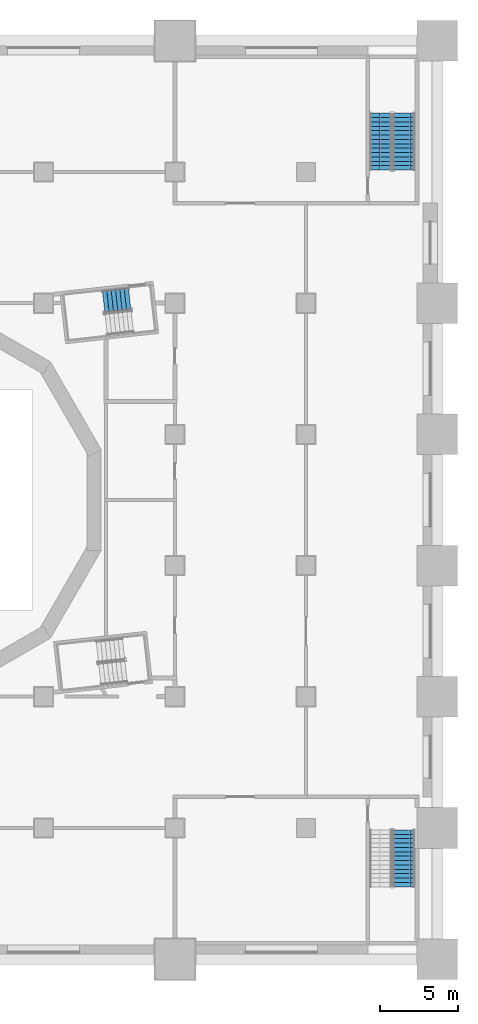
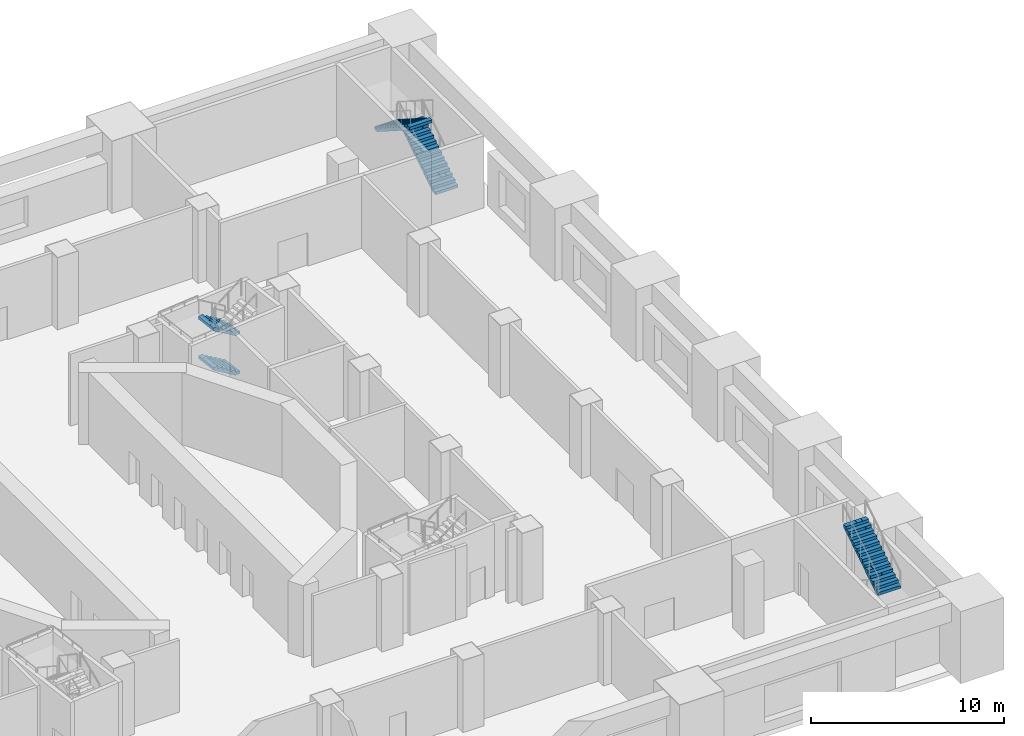
# One storey, part 8 of 17: 5 stair flights, 3 elements without a shape of their own.
"""IFC4 building model written with IfcOpenShell, lengths in metres."""

from ifc_helpers import new_model, si_unit, direction, frame, origin, place, context, subcontext, project, spatial, polyline, outline, extrude, material, type_object, element, aggregate, save


model = new_model("IFC4")

# Units and contexts
model_context = context("Model", 3, precision=1e-05, world=origin(), true_north=direction((0.0, 1.0)))
body_context = subcontext(model_context, "Body", "Model", "MODEL_VIEW")
ifc_project = project(units=[si_unit("LENGTHUNIT", "METRE"), si_unit("AREAUNIT", "SQUARE_METRE"), si_unit("VOLUMEUNIT", "CUBIC_METRE"), si_unit("PLANEANGLEUNIT", "RADIAN"), si_unit("MASSUNIT", "GRAM", prefix="KILO")], contexts=[model_context])

# Site, building, storey
site_placement = place(None, origin())
site = spatial("IfcSite", under=ifc_project, at=site_placement, CompositionType="ELEMENT")
building_placement = place(site_placement, origin())
building = spatial("IfcBuilding", under=site, at=building_placement, Name="Cantera Rosa Tower", CompositionType="ELEMENT")
storey_placement = place(building_placement, frame((0.0, 0.0, 32.0)))
storey = spatial("IfcBuildingStorey", under=building, at=storey_placement, Name="L05", CompositionType="ELEMENT", Elevation=32.0)

# Stair, stair flights
ifc_material_1 = material(Name="Concrete C35/45", Category="concrete")
stair_type_1 = type_object("IfcStairType", Name="EXIT STAIR 1350 DOGLEG", PredefinedType="HALF_TURN_STAIR", material=ifc_material_1)
stair_1_placement = place(storey_placement, origin())
stair_1 = element("IfcStair", 1, at=stair_1_placement, inside=storey, type_object=stair_type_1, Name="L05 ST-11", PredefinedType="HALF_TURN_STAIR")
ifc_material_2 = material(Name="Concrete C35/45", Category="concrete")
stair_flight_type_1 = type_object("IfcStairFlightType", Name="STAIR FLIGHT 1350 R28x179", PredefinedType="STRAIGHT", material=ifc_material_2)
stair_flight_1_placement = place(storey_placement, frame((13.90869140625, 12.89990234375, 0.0), z_axis=(0.0, 0.0, 1.0), x_axis=(-0.993896947056, -0.110312549749, 0.0)))
stair_flight_1 = element("IfcStairFlight", 2, at=stair_flight_1_placement, type_object=stair_flight_type_1, Name="ST-11 flight 1", NumberOfRisers=7, NumberOfTreads=6, PredefinedType="STRAIGHT", RiserHeight=0.178571429, TreadLength=0.28, context=body_context, shape_type="SweptSolid", body=[
    extrude(outline(polyline([(0.0, 0.0), (0.0, 0.178466796875), (0.280029296875, 0.178466796875), (0.280029296875, 0.357177734375), (0.56005859375, 0.357177734375), (0.56005859375, 0.53564453125), (0.840087890625, 0.53564453125), (0.840087890625, 0.71435546875), (1.1201171875, 0.71435546875), (1.1201171875, 0.892822265625), (1.39990234375, 0.892822265625), (1.39990234375, 1.071533203125), (1.679931640625, 1.071533203125), (1.679931640625, 1.25), (1.679931640625, 0.8935546875), (0.27880859375, 0.0), (0.0, 0.0)])), frame((0.0, 0.675048828125, 0.0), z_axis=(0.0, -1.0, 0.0), x_axis=(1.0, 0.0, 0.0)), (0.0, 0.0, 1.0), 0.3359375),
    extrude(outline(polyline([(0.0, 0.0), (0.0, 0.178466796875), (0.280029296875, 0.178466796875), (0.280029296875, 0.357177734375), (0.56005859375, 0.357177734375), (0.56005859375, 0.53564453125), (0.840087890625, 0.53564453125), (0.840087890625, 0.71435546875), (1.1201171875, 0.71435546875), (1.1201171875, 0.892822265625), (1.39990234375, 0.892822265625), (1.39990234375, 1.071533203125), (1.679931640625, 1.071533203125), (1.679931640625, 1.25), (1.679931640625, 0.8935546875), (0.27880859375, 0.0), (0.0, 0.0)])), frame((0.0, 0.337158203125, 0.0), z_axis=(0.0, -1.0, 0.0), x_axis=(1.0, 0.0, 0.0)), (0.0, 0.0, 1.0), 0.3359375),
    extrude(outline(polyline([(0.0, 0.0), (0.0, 0.178466796875), (0.280029296875, 0.178466796875), (0.280029296875, 0.357177734375), (0.56005859375, 0.357177734375), (0.56005859375, 0.53564453125), (0.840087890625, 0.53564453125), (0.840087890625, 0.71435546875), (1.1201171875, 0.71435546875), (1.1201171875, 0.892822265625), (1.39990234375, 0.892822265625), (1.39990234375, 1.071533203125), (1.679931640625, 1.071533203125), (1.679931640625, 1.25), (1.679931640625, 0.8935546875), (0.27880859375, 0.0), (0.0, 0.0)])), frame((0.0, -0.000732421875, 0.0), z_axis=(0.0, -1.0, 0.0), x_axis=(1.0, 0.0, 0.0)), (0.0, 0.0, 1.0), 0.3359375),
    extrude(outline(polyline([(0.0, 0.0), (0.0, 0.178466796875), (0.280029296875, 0.178466796875), (0.280029296875, 0.357177734375), (0.56005859375, 0.357177734375), (0.56005859375, 0.53564453125), (0.840087890625, 0.53564453125), (0.840087890625, 0.71435546875), (1.1201171875, 0.71435546875), (1.1201171875, 0.892822265625), (1.39990234375, 0.892822265625), (1.39990234375, 1.071533203125), (1.679931640625, 1.071533203125), (1.679931640625, 1.25), (1.679931640625, 0.8935546875), (0.27880859375, 0.0), (0.0, 0.0)])), frame((0.0, -0.338623046875, 0.0), z_axis=(0.0, -1.0, 0.0), x_axis=(1.0, 0.0, 0.0)), (0.0, 0.0, 1.0), 0.3359375),
])
stair_flight_2_placement = place(storey_placement, frame((13.90869140625, 12.89990234375, 2.5), z_axis=(0.0, 0.0, 1.0), x_axis=(-0.993896947056, -0.110312549749, 0.0)))
stair_flight_2 = element("IfcStairFlight", 3, at=stair_flight_2_placement, type_object=stair_flight_type_1, Name="ST-11 flight 3", NumberOfRisers=7, NumberOfTreads=6, PredefinedType="STRAIGHT", RiserHeight=0.178571429, TreadLength=0.28, context=body_context, shape_type="SweptSolid", body=[
    extrude(outline(polyline([(0.0, 0.0), (0.0, 0.178466796875), (0.280029296875, 0.178466796875), (0.280029296875, 0.357177734375), (0.56005859375, 0.357177734375), (0.56005859375, 0.53564453125), (0.840087890625, 0.53564453125), (0.840087890625, 0.71435546875), (1.1201171875, 0.71435546875), (1.1201171875, 0.892822265625), (1.39990234375, 0.892822265625), (1.39990234375, 1.071533203125), (1.679931640625, 1.071533203125), (1.679931640625, 1.25), (1.679931640625, 0.8935546875), (0.27880859375, 0.0), (0.0, 0.0)])), frame((0.0, 0.675048828125, 0.0), z_axis=(0.0, -1.0, 0.0), x_axis=(1.0, 0.0, 0.0)), (0.0, 0.0, 1.0), 0.3359375),
    extrude(outline(polyline([(0.0, 0.0), (0.0, 0.178466796875), (0.280029296875, 0.178466796875), (0.280029296875, 0.357177734375), (0.56005859375, 0.357177734375), (0.56005859375, 0.53564453125), (0.840087890625, 0.53564453125), (0.840087890625, 0.71435546875), (1.1201171875, 0.71435546875), (1.1201171875, 0.892822265625), (1.39990234375, 0.892822265625), (1.39990234375, 1.071533203125), (1.679931640625, 1.071533203125), (1.679931640625, 1.25), (1.679931640625, 0.8935546875), (0.27880859375, 0.0), (0.0, 0.0)])), frame((0.0, 0.337158203125, 0.0), z_axis=(0.0, -1.0, 0.0), x_axis=(1.0, 0.0, 0.0)), (0.0, 0.0, 1.0), 0.3359375),
    extrude(outline(polyline([(0.0, 0.0), (0.0, 0.178466796875), (0.280029296875, 0.178466796875), (0.280029296875, 0.357177734375), (0.56005859375, 0.357177734375), (0.56005859375, 0.53564453125), (0.840087890625, 0.53564453125), (0.840087890625, 0.71435546875), (1.1201171875, 0.71435546875), (1.1201171875, 0.892822265625), (1.39990234375, 0.892822265625), (1.39990234375, 1.071533203125), (1.679931640625, 1.071533203125), (1.679931640625, 1.25), (1.679931640625, 0.8935546875), (0.27880859375, 0.0), (0.0, 0.0)])), frame((0.0, -0.000732421875, 0.0), z_axis=(0.0, -1.0, 0.0), x_axis=(1.0, 0.0, 0.0)), (0.0, 0.0, 1.0), 0.3359375),
    extrude(outline(polyline([(0.0, 0.0), (0.0, 0.178466796875), (0.280029296875, 0.178466796875), (0.280029296875, 0.357177734375), (0.56005859375, 0.357177734375), (0.56005859375, 0.53564453125), (0.840087890625, 0.53564453125), (0.840087890625, 0.71435546875), (1.1201171875, 0.71435546875), (1.1201171875, 0.892822265625), (1.39990234375, 0.892822265625), (1.39990234375, 1.071533203125), (1.679931640625, 1.071533203125), (1.679931640625, 1.25), (1.679931640625, 0.8935546875), (0.27880859375, 0.0), (0.0, 0.0)])), frame((0.0, -0.338623046875, 0.0), z_axis=(0.0, -1.0, 0.0), x_axis=(1.0, 0.0, 0.0)), (0.0, 0.0, 1.0), 0.3359375),
])
aggregate(stair_1, [stair_flight_1, stair_flight_2])

ifc_material_3 = material(Name="Concrete C35/45", Category="concrete")
stair_type_2 = type_object("IfcStairType", Name="Stair half-turn 1350", PredefinedType="HALF_TURN_STAIR", material=ifc_material_3)
stair_2_placement = place(storey_placement, origin())
stair_2 = element("IfcStair", 4, at=stair_2_placement, inside=storey, type_object=stair_type_2, Name="L05 ST-NE", PredefinedType="HALF_TURN_STAIR")
ifc_material_4 = material(Name="Concrete C35/45", Category="concrete")
stair_flight_type_2 = type_object("IfcStairFlightType", Name="Stair flight 1350", PredefinedType="STRAIGHT", material=ifc_material_4)
stair_flight_3_placement = place(storey_placement, frame((31.5, 21.125, 0.0), z_axis=(0.0, 0.0, 1.0), x_axis=(0.0, 1.0, 0.0)))
stair_flight_3 = element("IfcStairFlight", 5, at=stair_flight_3_placement, type_object=stair_flight_type_2, Name="ST-NE flight 1", NumberOfRisers=14, NumberOfTreads=13, PredefinedType="STRAIGHT", RiserHeight=0.178571429, TreadLength=0.28, context=body_context, shape_type="SweptSolid", body=[
    extrude(outline(polyline([(0.0, 0.0), (0.0, 0.178466796875), (0.280029296875, 0.178466796875), (0.280029296875, 0.357177734375), (0.56005859375, 0.357177734375), (0.56005859375, 0.53564453125), (0.840087890625, 0.53564453125), (0.840087890625, 0.71435546875), (1.1201171875, 0.71435546875), (1.1201171875, 0.892822265625), (1.39990234375, 0.892822265625), (1.39990234375, 1.071533203125), (1.679931640625, 1.071533203125), (1.679931640625, 1.25), (1.9599609375, 1.25), (1.9599609375, 1.428466796875), (2.239990234375, 1.428466796875), (2.239990234375, 1.607177734375), (2.52001953125, 1.607177734375), (2.52001953125, 1.78564453125), (2.800048828125, 1.78564453125), (2.800048828125, 1.96435546875), (3.080078125, 1.96435546875), (3.080078125, 2.142822265625), (3.360107421875, 2.142822265625), (3.360107421875, 2.321533203125), (3.639892578125, 2.321533203125), (3.639892578125, 2.5), (3.639892578125, 2.1435546875), (0.27880859375, 0.0), (0.0, 0.0)])), frame((0.0, 0.675048828125, 0.0), z_axis=(0.0, -1.0, 0.0), x_axis=(1.0, 0.0, 0.0)), (0.0, 0.0, 1.0), 0.3359375),
    extrude(outline(polyline([(0.0, 0.0), (0.0, 0.178466796875), (0.280029296875, 0.178466796875), (0.280029296875, 0.357177734375), (0.56005859375, 0.357177734375), (0.56005859375, 0.53564453125), (0.840087890625, 0.53564453125), (0.840087890625, 0.71435546875), (1.1201171875, 0.71435546875), (1.1201171875, 0.892822265625), (1.39990234375, 0.892822265625), (1.39990234375, 1.071533203125), (1.679931640625, 1.071533203125), (1.679931640625, 1.25), (1.9599609375, 1.25), (1.9599609375, 1.428466796875), (2.239990234375, 1.428466796875), (2.239990234375, 1.607177734375), (2.52001953125, 1.607177734375), (2.52001953125, 1.78564453125), (2.800048828125, 1.78564453125), (2.800048828125, 1.96435546875), (3.080078125, 1.96435546875), (3.080078125, 2.142822265625), (3.360107421875, 2.142822265625), (3.360107421875, 2.321533203125), (3.639892578125, 2.321533203125), (3.639892578125, 2.5), (3.639892578125, 2.1435546875), (0.27880859375, 0.0), (0.0, 0.0)])), frame((0.0, 0.337158203125, 0.0), z_axis=(0.0, -1.0, 0.0), x_axis=(1.0, 0.0, 0.0)), (0.0, 0.0, 1.0), 0.3359375),
    extrude(outline(polyline([(0.0, 0.0), (0.0, 0.178466796875), (0.280029296875, 0.178466796875), (0.280029296875, 0.357177734375), (0.56005859375, 0.357177734375), (0.56005859375, 0.53564453125), (0.840087890625, 0.53564453125), (0.840087890625, 0.71435546875), (1.1201171875, 0.71435546875), (1.1201171875, 0.892822265625), (1.39990234375, 0.892822265625), (1.39990234375, 1.071533203125), (1.679931640625, 1.071533203125), (1.679931640625, 1.25), (1.9599609375, 1.25), (1.9599609375, 1.428466796875), (2.239990234375, 1.428466796875), (2.239990234375, 1.607177734375), (2.52001953125, 1.607177734375), (2.52001953125, 1.78564453125), (2.800048828125, 1.78564453125), (2.800048828125, 1.96435546875), (3.080078125, 1.96435546875), (3.080078125, 2.142822265625), (3.360107421875, 2.142822265625), (3.360107421875, 2.321533203125), (3.639892578125, 2.321533203125), (3.639892578125, 2.5), (3.639892578125, 2.1435546875), (0.27880859375, 0.0), (0.0, 0.0)])), frame((0.0, -0.000732421875, 0.0), z_axis=(0.0, -1.0, 0.0), x_axis=(1.0, 0.0, 0.0)), (0.0, 0.0, 1.0), 0.3359375),
    extrude(outline(polyline([(0.0, 0.0), (0.0, 0.178466796875), (0.280029296875, 0.178466796875), (0.280029296875, 0.357177734375), (0.56005859375, 0.357177734375), (0.56005859375, 0.53564453125), (0.840087890625, 0.53564453125), (0.840087890625, 0.71435546875), (1.1201171875, 0.71435546875), (1.1201171875, 0.892822265625), (1.39990234375, 0.892822265625), (1.39990234375, 1.071533203125), (1.679931640625, 1.071533203125), (1.679931640625, 1.25), (1.9599609375, 1.25), (1.9599609375, 1.428466796875), (2.239990234375, 1.428466796875), (2.239990234375, 1.607177734375), (2.52001953125, 1.607177734375), (2.52001953125, 1.78564453125), (2.800048828125, 1.78564453125), (2.800048828125, 1.96435546875), (3.080078125, 1.96435546875), (3.080078125, 2.142822265625), (3.360107421875, 2.142822265625), (3.360107421875, 2.321533203125), (3.639892578125, 2.321533203125), (3.639892578125, 2.5), (3.639892578125, 2.1435546875), (0.27880859375, 0.0), (0.0, 0.0)])), frame((0.0, -0.338623046875, 0.0), z_axis=(0.0, -1.0, 0.0), x_axis=(1.0, 0.0, 0.0)), (0.0, 0.0, 1.0), 0.3359375),
])
stair_flight_4_placement = place(storey_placement, frame((29.949951171875, 24.764892578125, 2.5), z_axis=(0.0, 0.0, 1.0), x_axis=(0.0, -1.0, 0.0)))
stair_flight_4 = element("IfcStairFlight", 6, at=stair_flight_4_placement, type_object=stair_flight_type_2, Name="ST-NE flight 2", NumberOfRisers=14, NumberOfTreads=13, PredefinedType="STRAIGHT", RiserHeight=0.178571429, TreadLength=0.28, context=body_context, shape_type="SweptSolid", body=[
    extrude(outline(polyline([(0.0, 0.0), (0.0, 0.178466796875), (0.280029296875, 0.178466796875), (0.280029296875, 0.357177734375), (0.56005859375, 0.357177734375), (0.56005859375, 0.53564453125), (0.840087890625, 0.53564453125), (0.840087890625, 0.71435546875), (1.1201171875, 0.71435546875), (1.1201171875, 0.892822265625), (1.39990234375, 0.892822265625), (1.39990234375, 1.071533203125), (1.679931640625, 1.071533203125), (1.679931640625, 1.25), (1.9599609375, 1.25), (1.9599609375, 1.428466796875), (2.239990234375, 1.428466796875), (2.239990234375, 1.607177734375), (2.52001953125, 1.607177734375), (2.52001953125, 1.78564453125), (2.800048828125, 1.78564453125), (2.800048828125, 1.96435546875), (3.080078125, 1.96435546875), (3.080078125, 2.142822265625), (3.360107421875, 2.142822265625), (3.360107421875, 2.321533203125), (3.639892578125, 2.321533203125), (3.639892578125, 2.5), (3.639892578125, 2.1435546875), (0.27880859375, 0.0), (0.0, 0.0)])), frame((0.0, 0.675048828125, 0.0), z_axis=(0.0, -1.0, 0.0), x_axis=(1.0, 0.0, 0.0)), (0.0, 0.0, 1.0), 0.3359375),
    extrude(outline(polyline([(0.0, 0.0), (0.0, 0.178466796875), (0.280029296875, 0.178466796875), (0.280029296875, 0.357177734375), (0.56005859375, 0.357177734375), (0.56005859375, 0.53564453125), (0.840087890625, 0.53564453125), (0.840087890625, 0.71435546875), (1.1201171875, 0.71435546875), (1.1201171875, 0.892822265625), (1.39990234375, 0.892822265625), (1.39990234375, 1.071533203125), (1.679931640625, 1.071533203125), (1.679931640625, 1.25), (1.9599609375, 1.25), (1.9599609375, 1.428466796875), (2.239990234375, 1.428466796875), (2.239990234375, 1.607177734375), (2.52001953125, 1.607177734375), (2.52001953125, 1.78564453125), (2.800048828125, 1.78564453125), (2.800048828125, 1.96435546875), (3.080078125, 1.96435546875), (3.080078125, 2.142822265625), (3.360107421875, 2.142822265625), (3.360107421875, 2.321533203125), (3.639892578125, 2.321533203125), (3.639892578125, 2.5), (3.639892578125, 2.1435546875), (0.27880859375, 0.0), (0.0, 0.0)])), frame((0.0, 0.337158203125, 0.0), z_axis=(0.0, -1.0, 0.0), x_axis=(1.0, 0.0, 0.0)), (0.0, 0.0, 1.0), 0.3359375),
    extrude(outline(polyline([(0.0, 0.0), (0.0, 0.178466796875), (0.280029296875, 0.178466796875), (0.280029296875, 0.357177734375), (0.56005859375, 0.357177734375), (0.56005859375, 0.53564453125), (0.840087890625, 0.53564453125), (0.840087890625, 0.71435546875), (1.1201171875, 0.71435546875), (1.1201171875, 0.892822265625), (1.39990234375, 0.892822265625), (1.39990234375, 1.071533203125), (1.679931640625, 1.071533203125), (1.679931640625, 1.25), (1.9599609375, 1.25), (1.9599609375, 1.428466796875), (2.239990234375, 1.428466796875), (2.239990234375, 1.607177734375), (2.52001953125, 1.607177734375), (2.52001953125, 1.78564453125), (2.800048828125, 1.78564453125), (2.800048828125, 1.96435546875), (3.080078125, 1.96435546875), (3.080078125, 2.142822265625), (3.360107421875, 2.142822265625), (3.360107421875, 2.321533203125), (3.639892578125, 2.321533203125), (3.639892578125, 2.5), (3.639892578125, 2.1435546875), (0.27880859375, 0.0), (0.0, 0.0)])), frame((0.0, -0.000732421875, 0.0), z_axis=(0.0, -1.0, 0.0), x_axis=(1.0, 0.0, 0.0)), (0.0, 0.0, 1.0), 0.3359375),
    extrude(outline(polyline([(0.0, 0.0), (0.0, 0.178466796875), (0.280029296875, 0.178466796875), (0.280029296875, 0.357177734375), (0.56005859375, 0.357177734375), (0.56005859375, 0.53564453125), (0.840087890625, 0.53564453125), (0.840087890625, 0.71435546875), (1.1201171875, 0.71435546875), (1.1201171875, 0.892822265625), (1.39990234375, 0.892822265625), (1.39990234375, 1.071533203125), (1.679931640625, 1.071533203125), (1.679931640625, 1.25), (1.9599609375, 1.25), (1.9599609375, 1.428466796875), (2.239990234375, 1.428466796875), (2.239990234375, 1.607177734375), (2.52001953125, 1.607177734375), (2.52001953125, 1.78564453125), (2.800048828125, 1.78564453125), (2.800048828125, 1.96435546875), (3.080078125, 1.96435546875), (3.080078125, 2.142822265625), (3.360107421875, 2.142822265625), (3.360107421875, 2.321533203125), (3.639892578125, 2.321533203125), (3.639892578125, 2.5), (3.639892578125, 2.1435546875), (0.27880859375, 0.0), (0.0, 0.0)])), frame((0.0, -0.338623046875, 0.0), z_axis=(0.0, -1.0, 0.0), x_axis=(1.0, 0.0, 0.0)), (0.0, 0.0, 1.0), 0.3359375),
])
aggregate(stair_2, [stair_flight_3, stair_flight_4])

# Stair, stair flight
stair_3_placement = place(storey_placement, origin())
stair_3 = element("IfcStair", 7, at=stair_3_placement, inside=storey, type_object=stair_type_2, Name="L05 ST-SE", PredefinedType="HALF_TURN_STAIR")
stair_flight_5_placement = place(storey_placement, frame((31.5, -24.764892578125, 2.5), z_axis=(0.0, 0.0, 1.0), x_axis=(0.0, 1.0, 0.0)))
stair_flight_5 = element("IfcStairFlight", 8, at=stair_flight_5_placement, type_object=stair_flight_type_2, Name="ST-SE flight 2", NumberOfRisers=14, NumberOfTreads=13, PredefinedType="STRAIGHT", RiserHeight=0.178571429, TreadLength=0.28, context=body_context, shape_type="SweptSolid", body=[
    extrude(outline(polyline([(0.0, 0.0), (0.0, 0.178466796875), (0.280029296875, 0.178466796875), (0.280029296875, 0.357177734375), (0.56005859375, 0.357177734375), (0.56005859375, 0.53564453125), (0.840087890625, 0.53564453125), (0.840087890625, 0.71435546875), (1.1201171875, 0.71435546875), (1.1201171875, 0.892822265625), (1.39990234375, 0.892822265625), (1.39990234375, 1.071533203125), (1.679931640625, 1.071533203125), (1.679931640625, 1.25), (1.9599609375, 1.25), (1.9599609375, 1.428466796875), (2.239990234375, 1.428466796875), (2.239990234375, 1.607177734375), (2.52001953125, 1.607177734375), (2.52001953125, 1.78564453125), (2.800048828125, 1.78564453125), (2.800048828125, 1.96435546875), (3.080078125, 1.96435546875), (3.080078125, 2.142822265625), (3.360107421875, 2.142822265625), (3.360107421875, 2.321533203125), (3.639892578125, 2.321533203125), (3.639892578125, 2.5), (3.639892578125, 2.1435546875), (0.27880859375, 0.0), (0.0, 0.0)])), frame((0.0, 0.675048828125, 0.0), z_axis=(0.0, -1.0, 0.0), x_axis=(1.0, 0.0, 0.0)), (0.0, 0.0, 1.0), 0.3359375),
    extrude(outline(polyline([(0.0, 0.0), (0.0, 0.178466796875), (0.280029296875, 0.178466796875), (0.280029296875, 0.357177734375), (0.56005859375, 0.357177734375), (0.56005859375, 0.53564453125), (0.840087890625, 0.53564453125), (0.840087890625, 0.71435546875), (1.1201171875, 0.71435546875), (1.1201171875, 0.892822265625), (1.39990234375, 0.892822265625), (1.39990234375, 1.071533203125), (1.679931640625, 1.071533203125), (1.679931640625, 1.25), (1.9599609375, 1.25), (1.9599609375, 1.428466796875), (2.239990234375, 1.428466796875), (2.239990234375, 1.607177734375), (2.52001953125, 1.607177734375), (2.52001953125, 1.78564453125), (2.800048828125, 1.78564453125), (2.800048828125, 1.96435546875), (3.080078125, 1.96435546875), (3.080078125, 2.142822265625), (3.360107421875, 2.142822265625), (3.360107421875, 2.321533203125), (3.639892578125, 2.321533203125), (3.639892578125, 2.5), (3.639892578125, 2.1435546875), (0.27880859375, 0.0), (0.0, 0.0)])), frame((0.0, 0.337158203125, 0.0), z_axis=(0.0, -1.0, 0.0), x_axis=(1.0, 0.0, 0.0)), (0.0, 0.0, 1.0), 0.3359375),
    extrude(outline(polyline([(0.0, 0.0), (0.0, 0.178466796875), (0.280029296875, 0.178466796875), (0.280029296875, 0.357177734375), (0.56005859375, 0.357177734375), (0.56005859375, 0.53564453125), (0.840087890625, 0.53564453125), (0.840087890625, 0.71435546875), (1.1201171875, 0.71435546875), (1.1201171875, 0.892822265625), (1.39990234375, 0.892822265625), (1.39990234375, 1.071533203125), (1.679931640625, 1.071533203125), (1.679931640625, 1.25), (1.9599609375, 1.25), (1.9599609375, 1.428466796875), (2.239990234375, 1.428466796875), (2.239990234375, 1.607177734375), (2.52001953125, 1.607177734375), (2.52001953125, 1.78564453125), (2.800048828125, 1.78564453125), (2.800048828125, 1.96435546875), (3.080078125, 1.96435546875), (3.080078125, 2.142822265625), (3.360107421875, 2.142822265625), (3.360107421875, 2.321533203125), (3.639892578125, 2.321533203125), (3.639892578125, 2.5), (3.639892578125, 2.1435546875), (0.27880859375, 0.0), (0.0, 0.0)])), frame((0.0, -0.000732421875, 0.0), z_axis=(0.0, -1.0, 0.0), x_axis=(1.0, 0.0, 0.0)), (0.0, 0.0, 1.0), 0.3359375),
    extrude(outline(polyline([(0.0, 0.0), (0.0, 0.178466796875), (0.280029296875, 0.178466796875), (0.280029296875, 0.357177734375), (0.56005859375, 0.357177734375), (0.56005859375, 0.53564453125), (0.840087890625, 0.53564453125), (0.840087890625, 0.71435546875), (1.1201171875, 0.71435546875), (1.1201171875, 0.892822265625), (1.39990234375, 0.892822265625), (1.39990234375, 1.071533203125), (1.679931640625, 1.071533203125), (1.679931640625, 1.25), (1.9599609375, 1.25), (1.9599609375, 1.428466796875), (2.239990234375, 1.428466796875), (2.239990234375, 1.607177734375), (2.52001953125, 1.607177734375), (2.52001953125, 1.78564453125), (2.800048828125, 1.78564453125), (2.800048828125, 1.96435546875), (3.080078125, 1.96435546875), (3.080078125, 2.142822265625), (3.360107421875, 2.142822265625), (3.360107421875, 2.321533203125), (3.639892578125, 2.321533203125), (3.639892578125, 2.5), (3.639892578125, 2.1435546875), (0.27880859375, 0.0), (0.0, 0.0)])), frame((0.0, -0.338623046875, 0.0), z_axis=(0.0, -1.0, 0.0), x_axis=(1.0, 0.0, 0.0)), (0.0, 0.0, 1.0), 0.3359375),
])
aggregate(stair_3, [stair_flight_5])

save(model, "model.ifc")
